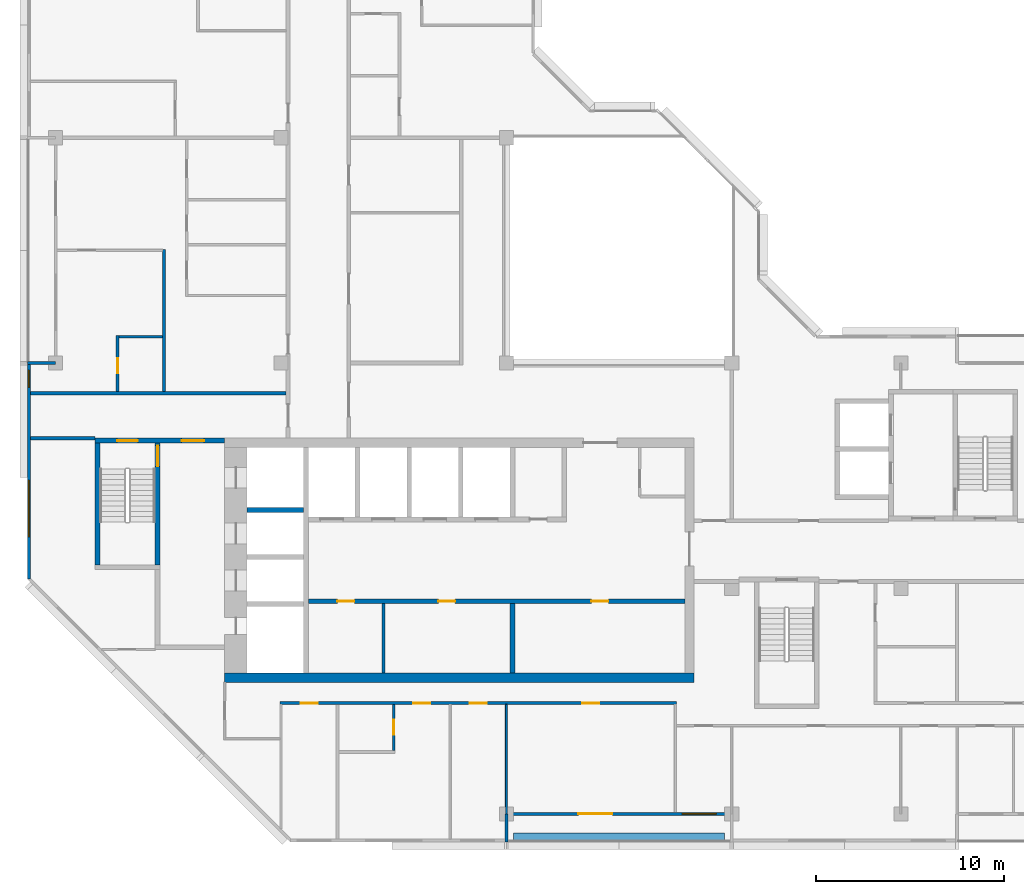
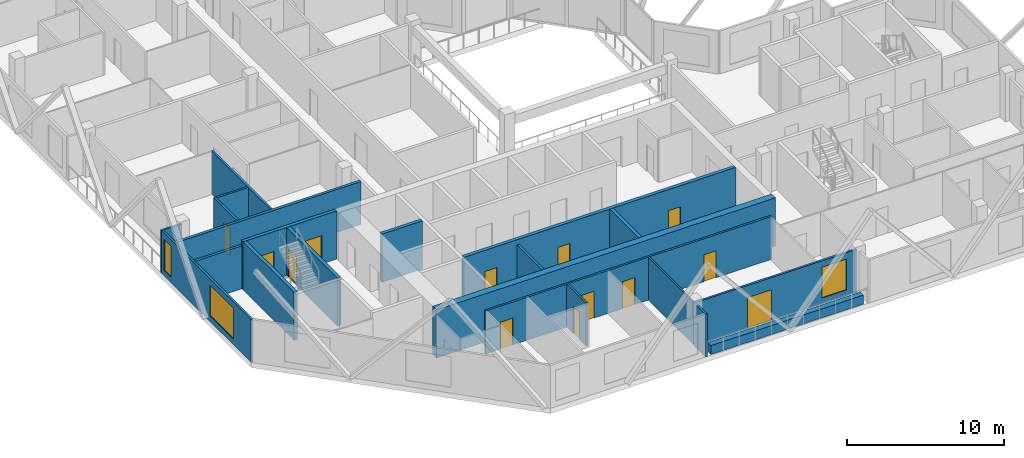
# One storey, part 4 of 12: 21 walls, 13 doors, 3 windows, 16 openings.
"""IFC4 building model written with IfcOpenShell, lengths in metres."""

from ifc_helpers import new_model, si_unit, direction, frame, frame_2d, origin, place, context, subcontext, project, spatial, rectangle, extrude, material, layer, layer_set, type_object, element, fill, save


model = new_model("IFC4")

# Units and contexts
model_context = context("Model", 3, precision=1e-05, world=origin(), true_north=direction((0.0, 1.0)))
body_context = subcontext(model_context, "Body", "Model", "MODEL_VIEW")
ifc_project = project(units=[si_unit("LENGTHUNIT", "METRE"), si_unit("AREAUNIT", "SQUARE_METRE"), si_unit("VOLUMEUNIT", "CUBIC_METRE"), si_unit("PLANEANGLEUNIT", "RADIAN"), si_unit("MASSUNIT", "GRAM", prefix="KILO")], contexts=[model_context])

# Site, building, storey
site_placement = place(None, origin())
site = spatial("IfcSite", under=ifc_project, at=site_placement, CompositionType="ELEMENT")
building_placement = place(site_placement, origin())
building = spatial("IfcBuilding", under=site, at=building_placement, Name="Chenar Terraces", CompositionType="ELEMENT")
storey_placement = place(building_placement, frame((0.0, 0.0, 368.89990234375)))
storey = spatial("IfcBuildingStorey", under=building, at=storey_placement, Name="L86", CompositionType="ELEMENT", Elevation=368.89990234375)

# Wall
ifc_material_1 = material(Name="Gypsum board on steel studs", Category="steel")
ifc_layer_1 = layer(ifc_material_1, 0.14990234375)
ifc_layer_set_1 = layer_set([ifc_layer_1], Name="Gypsum board on steel studs")
wall_type_1 = type_object("IfcWallType", Name="Core partition 150 gypsum board", PredefinedType="PARTITIONING", material=ifc_layer_set_1)
wall_1_placement = place(storey_placement, frame((17.449951171875, 7.5, 0.0), z_axis=(0.0, 0.0, 1.0), x_axis=(0.0, 1.0, 0.0)))
element("IfcWall", 1, at=wall_1_placement, inside=storey, type_object=wall_type_1, Name="Core partition CP1 freed bay wall", PredefinedType="PARTITIONING", context=body_context, shape_type="SweptSolid", body=[
    extrude(rectangle(XDim=3.699951171875, YDim=0.14990234375, at=frame_2d((1.85009765625, 0.0))), origin(), (0.0, 0.0, 1.0), 3.35009765625),
])

# Wall, openings, doors
ifc_material_2 = material(Name="Concrete C50/60", Category="concrete")
ifc_layer_2 = layer(ifc_material_2, 0.25)
ifc_layer_set_2 = layer_set([ifc_layer_2], Name="Concrete C50/60")
wall_type_2 = type_object("IfcWallType", Name="Core wall 250 Concrete C50/60", PredefinedType="SHEAR", material=ifc_layer_set_2)
wall_2_placement = place(storey_placement, frame((13.449951171875, 11.324951171875, 0.0), z_axis=(0.0, 0.0, 1.0), x_axis=(1.0, 0.0, 0.0)))
wall_2 = element("IfcWall", 2, at=wall_2_placement, inside=storey, type_object=wall_type_2, Name="Core wall SF L86", PredefinedType="SHEAR", context=body_context, shape_type="SweptSolid", body=[
    extrude(rectangle(XDim=20.050048828125, YDim=0.25, at=frame_2d((10.02490234375, 0.0))), origin(), (0.0, 0.0, 1.0), 3.75),
])
opening_1_placement = place(wall_2_placement, frame((1.550048828125, 0.0, 0.0)))
opening_1 = element("IfcOpeningElement", 3, at=opening_1_placement, cuts=wall_2, Name="Opening DL86-C12", PredefinedType="OPENING", context=body_context, shape_type="SweptSolid", body=[
    extrude(rectangle(XDim=0.89990234375, YDim=2.10009765625, at=frame_2d((0.449951171875, 1.050048828125))), frame((0.0, 0.135009765625, 0.0), z_axis=(0.0, -1.0, 0.0), x_axis=(1.0, 0.0, 0.0)), (0.0, 0.0, 1.0), 0.27001953125),
])
opening_2_placement = place(wall_2_placement, frame((6.925048828125, 0.0, 0.0)))
opening_2 = element("IfcOpeningElement", 4, at=opening_2_placement, cuts=wall_2, Name="Opening DL86-C13", PredefinedType="OPENING", context=body_context, shape_type="SweptSolid", body=[
    extrude(rectangle(XDim=0.89990234375, YDim=2.10009765625, at=frame_2d((0.449951171875, 1.050048828125))), frame((0.0, 0.135009765625, 0.0), z_axis=(0.0, -1.0, 0.0), x_axis=(1.0, 0.0, 0.0)), (0.0, 0.0, 1.0), 0.27001953125),
])
opening_3_placement = place(wall_2_placement, frame((15.074951171875, 0.0, 0.0)))
opening_3 = element("IfcOpeningElement", 5, at=opening_3_placement, cuts=wall_2, Name="Opening DL86-C14", PredefinedType="OPENING", context=body_context, shape_type="SweptSolid", body=[
    extrude(rectangle(XDim=0.89990234375, YDim=2.10009765625, at=frame_2d((0.449951171875, 1.050048828125))), frame((0.0, 0.135009765625, 0.0), z_axis=(0.0, -1.0, 0.0), x_axis=(1.0, 0.0, 0.0)), (0.0, 0.0, 1.0), 0.27001953125),
])
ifc_material_3 = material(Name="Steel-framed fire-resisting door leaf", Category="steel")
door_type_1 = type_object("IfcDoorType", Name="Riser fire door FD60 900 x 2100", OperationType="SINGLE_SWING_LEFT", PredefinedType="DOOR", material=ifc_material_3)
door_1_placement = place(opening_1_placement, frame((0.89990234375, 0.0, 0.0), z_axis=(0.0, 0.0, 1.0), x_axis=(-1.0, 0.0, 0.0)))
door_1 = element("IfcDoor", 6, at=door_1_placement, inside=storey, type_object=door_type_1, Name="Core room door DL86-C12", OperationType="SINGLE_SWING_LEFT", OverallHeight=2.10009765625, OverallWidth=0.89990234375, PredefinedType="DOOR", context=body_context, shape_type="SweptSolid", body=[
    extrude(rectangle(XDim=0.89990234375, YDim=2.10009765625, at=frame_2d((0.449951171875, 1.050048828125))), frame((0.0, 0.02490234375, 0.0), z_axis=(0.0, -1.0, 0.0), x_axis=(1.0, 0.0, 0.0)), (0.0, 0.0, 1.0), 0.050048828125),
])
fill(opening_1, door_1)
door_2_placement = place(opening_2_placement, frame((0.89990234375, 0.0, 0.0), z_axis=(0.0, 0.0, 1.0), x_axis=(-1.0, 0.0, 0.0)))
door_2 = element("IfcDoor", 7, at=door_2_placement, inside=storey, type_object=door_type_1, Name="Core room door DL86-C13", OperationType="SINGLE_SWING_RIGHT", OverallHeight=2.10009765625, OverallWidth=0.89990234375, PredefinedType="DOOR", context=body_context, shape_type="SweptSolid", body=[
    extrude(rectangle(XDim=0.89990234375, YDim=2.10009765625, at=frame_2d((0.449951171875, 1.050048828125))), frame((0.0, 0.02490234375, 0.0), z_axis=(0.0, -1.0, 0.0), x_axis=(1.0, 0.0, 0.0)), (0.0, 0.0, 1.0), 0.050048828125),
])
fill(opening_2, door_2)
door_3_placement = place(opening_3_placement, frame((0.89990234375, 0.0, 0.0), z_axis=(0.0, 0.0, 1.0), x_axis=(-1.0, 0.0, 0.0)))
door_3 = element("IfcDoor", 8, at=door_3_placement, inside=storey, type_object=door_type_1, Name="Core room door DL86-C14", OperationType="SINGLE_SWING_RIGHT", OverallHeight=2.10009765625, OverallWidth=0.89990234375, PredefinedType="DOOR", context=body_context, shape_type="SweptSolid", body=[
    extrude(rectangle(XDim=0.89990234375, YDim=2.10009765625, at=frame_2d((0.449951171875, 1.050048828125))), frame((0.0, 0.02490234375, 0.0), z_axis=(0.0, -1.0, 0.0), x_axis=(1.0, 0.0, 0.0)), (0.0, 0.0, 1.0), 0.050048828125),
])
fill(opening_3, door_3)

# Walls
wall_3_placement = place(storey_placement, frame((10.199951171875, 16.175048828125, 0.0), z_axis=(0.0, 0.0, 1.0), x_axis=(1.0, 0.0, 0.0)))
element("IfcWall", 9, at=wall_3_placement, inside=storey, type_object=wall_type_2, Name="Core wall HW2 L86", PredefinedType="SHEAR", context=body_context, shape_type="SweptSolid", body=[
    extrude(rectangle(XDim=3.0, YDim=0.25, at=frame_2d((1.5, 0.0))), origin(), (0.0, 0.0, 1.0), 3.75),
])
wall_4_placement = place(storey_placement, frame((24.324951171875, 7.5, 0.0), z_axis=(0.0, 0.0, 1.0), x_axis=(0.0, 1.0, 0.0)))
element("IfcWall", 10, at=wall_4_placement, inside=storey, type_object=wall_type_2, Name="Core wall SS3 L86", PredefinedType="SHEAR", context=body_context, shape_type="SweptSolid", body=[
    extrude(rectangle(XDim=3.699951171875, YDim=0.25, at=frame_2d((1.85009765625, 0.0))), origin(), (0.0, 0.0, 1.0), 3.75),
])

# Wall, openings, doors
wall_5_placement = place(storey_placement, frame((2.10009765625, 19.875, 0.0), z_axis=(0.0, 0.0, 1.0), x_axis=(1.0, 0.0, 0.0)))
wall_5 = element("IfcWall", 11, at=wall_5_placement, inside=storey, type_object=wall_type_2, Name="Core wall A_N L86", PredefinedType="SHEAR", context=body_context, shape_type="SweptSolid", body=[
    extrude(rectangle(XDim=6.89990234375, YDim=0.25, at=frame_2d((3.449951171875, 0.0))), origin(), (0.0, 0.0, 1.0), 3.75),
])
opening_4_placement = place(wall_5_placement, frame((1.175048828125, 0.0, 0.0)))
opening_4 = element("IfcOpeningElement", 12, at=opening_4_placement, cuts=wall_5, Name="Opening DL86-C5", PredefinedType="OPENING", context=body_context, shape_type="SweptSolid", body=[
    extrude(rectangle(XDim=1.10009765625, YDim=2.199951171875, at=frame_2d((0.550048828125, 1.10009765625))), frame((0.0, 0.135009765625, 0.0), z_axis=(0.0, -1.0, 0.0), x_axis=(1.0, 0.0, 0.0)), (0.0, 0.0, 1.0), 0.27001953125),
])
opening_5_placement = place(wall_5_placement, frame((4.60009765625, 0.0, 0.0)))
opening_5 = element("IfcOpeningElement", 13, at=opening_5_placement, cuts=wall_5, Name="Opening DL86-C6", PredefinedType="OPENING", context=body_context, shape_type="SweptSolid", body=[
    extrude(rectangle(XDim=1.199951171875, YDim=2.199951171875, at=frame_2d((0.60009765625, 1.10009765625))), frame((0.0, 0.135009765625, 0.0), z_axis=(0.0, -1.0, 0.0), x_axis=(1.0, 0.0, 0.0)), (0.0, 0.0, 1.0), 0.27001953125),
])
ifc_material_4 = material(Name="Steel-framed fire-resisting door leaf", Category="steel")
door_type_2 = type_object("IfcDoorType", Name="Lobby fire door FD60 1200 x 2200", OperationType="SINGLE_SWING_LEFT", PredefinedType="DOOR", material=ifc_material_4)
door_4_placement = place(opening_5_placement, frame((1.199951171875, 0.0, 0.0), z_axis=(0.0, 0.0, 1.0), x_axis=(-1.0, 0.0, 0.0)))
door_4 = element("IfcDoor", 14, at=door_4_placement, inside=storey, type_object=door_type_2, Name="Core door DL86-C6", OperationType="SINGLE_SWING_LEFT", OverallHeight=2.199951171875, OverallWidth=1.199951171875, PredefinedType="DOOR", context=body_context, shape_type="SweptSolid", body=[
    extrude(rectangle(XDim=1.199951171875, YDim=2.199951171875, at=frame_2d((0.60009765625, 1.10009765625))), frame((0.0, 0.02490234375, 0.0), z_axis=(0.0, -1.0, 0.0), x_axis=(1.0, 0.0, 0.0)), (0.0, 0.0, 1.0), 0.050048828125),
])
fill(opening_5, door_4)
ifc_material_5 = material(Name="Steel-framed fire-resisting door leaf", Category="steel")
door_type_3 = type_object("IfcDoorType", Name="Stair fire door FD60 1100 x 2200", OperationType="SINGLE_SWING_LEFT", PredefinedType="DOOR", material=ifc_material_5)
door_5_placement = place(opening_4_placement, origin())
door_5 = element("IfcDoor", 15, at=door_5_placement, inside=storey, type_object=door_type_3, Name="Stair door DL86-C5", OperationType="SINGLE_SWING_LEFT", OverallHeight=2.199951171875, OverallWidth=1.10009765625, PredefinedType="DOOR", context=body_context, shape_type="SweptSolid", body=[
    extrude(rectangle(XDim=1.10009765625, YDim=2.199951171875, at=frame_2d((0.550048828125, 1.10009765625))), frame((0.0, 0.02490234375, 0.0), z_axis=(0.0, -1.0, 0.0), x_axis=(1.0, 0.0, 0.0)), (0.0, 0.0, 1.0), 0.050048828125),
])
fill(opening_4, door_5)

# Wall
wall_6_placement = place(storey_placement, frame((2.22509765625, 13.25, 0.0), z_axis=(0.0, 0.0, 1.0), x_axis=(0.0, 1.0, 0.0)))
element("IfcWall", 16, at=wall_6_placement, inside=storey, type_object=wall_type_2, Name="Core wall ST1_W L86", PredefinedType="SHEAR", context=body_context, shape_type="SweptSolid", body=[
    extrude(rectangle(XDim=6.5, YDim=0.25, at=frame_2d((3.25, 0.0))), origin(), (0.0, 0.0, 1.0), 3.75),
])

# Wall, opening, door
wall_7_placement = place(storey_placement, frame((5.425048828125, 13.25, 0.0), z_axis=(0.0, 0.0, 1.0), x_axis=(0.0, 1.0, 0.0)))
wall_7 = element("IfcWall", 17, at=wall_7_placement, inside=storey, type_object=wall_type_2, Name="Core wall ST1_E L86", PredefinedType="SHEAR", context=body_context, shape_type="SweptSolid", body=[
    extrude(rectangle(XDim=6.5, YDim=0.25, at=frame_2d((3.25, 0.0))), origin(), (0.0, 0.0, 1.0), 3.75),
])
opening_6_placement = place(wall_7_placement, frame((5.25, 0.0, 0.0)))
opening_6 = element("IfcOpeningElement", 18, at=opening_6_placement, cuts=wall_7, Name="Opening DL86-C3", PredefinedType="OPENING", context=body_context, shape_type="SweptSolid", body=[
    extrude(rectangle(XDim=1.10009765625, YDim=2.199951171875, at=frame_2d((0.550048828125, 1.10009765625))), frame((0.0, 0.135009765625, 0.0), z_axis=(0.0, -1.0, 0.0), x_axis=(1.0, 0.0, 0.0)), (0.0, 0.0, 1.0), 0.27001953125),
])
door_6_placement = place(opening_6_placement, origin())
door_6 = element("IfcDoor", 19, at=door_6_placement, inside=storey, type_object=door_type_3, Name="Stair door DL86-C3", OperationType="SINGLE_SWING_RIGHT", OverallHeight=2.199951171875, OverallWidth=1.10009765625, PredefinedType="DOOR", context=body_context, shape_type="SweptSolid", body=[
    extrude(rectangle(XDim=1.10009765625, YDim=2.199951171875, at=frame_2d((0.550048828125, 1.10009765625))), frame((0.0, 0.02490234375, 0.0), z_axis=(0.0, -1.0, 0.0), x_axis=(1.0, 0.0, 0.0)), (0.0, 0.0, 1.0), 0.050048828125),
])
fill(opening_6, door_6)

# Walls
ifc_material_6 = material(Name="Concrete C50/60", Category="concrete")
ifc_layer_3 = layer(ifc_material_6, 0.5)
ifc_layer_set_3 = layer_set([ifc_layer_3], Name="Concrete C50/60")
wall_type_3 = type_object("IfcWallType", Name="Core wall 500 Concrete C50/60", PredefinedType="SHEAR", material=ifc_layer_set_3)
wall_8_placement = place(storey_placement, frame((9.0, 7.25, 0.0), z_axis=(0.0, 0.0, 1.0), x_axis=(1.0, 0.0, 0.0)))
element("IfcWall", 20, at=wall_8_placement, inside=storey, type_object=wall_type_3, Name="Core wall S L86", PredefinedType="SHEAR", context=body_context, shape_type="SweptSolid", body=[
    extrude(rectangle(XDim=25.0, YDim=0.5, at=frame_2d((12.5, 0.0))), origin(), (0.0, 0.0, 1.0), 3.75),
])
ifc_material_7 = material(Name="Gypsum board on steel studs with fire boards", Category="steel")
ifc_layer_4 = layer(ifc_material_7, 0.199951171875)
ifc_layer_set_4 = layer_set([ifc_layer_4], Name="Gypsum board on steel studs with fire boards")
wall_type_4 = type_object("IfcWallType", Name="Corridor wall 200", PredefinedType="PARTITIONING", material=ifc_layer_set_4)
wall_9_placement = place(storey_placement, frame((-1.35009765625, 20.0, 0.0), z_axis=(0.0, 0.0, 1.0), x_axis=(1.0, 0.0, 0.0)))
element("IfcWall", 21, at=wall_9_placement, inside=storey, type_object=wall_type_4, Name="Partition L86-001", PredefinedType="PARTITIONING", context=body_context, shape_type="SweptSolid", body=[
    extrude(rectangle(XDim=3.4501953125, YDim=0.199951171875, at=frame_2d((1.72509765625, 0.0))), origin(), (0.0, 0.0, 1.0), 3.35009765625),
])
wall_10_placement = place(storey_placement, frame((-1.35009765625, 22.39990234375, 0.0), z_axis=(0.0, 0.0, 1.0), x_axis=(1.0, 0.0, 0.0)))
element("IfcWall", 22, at=wall_10_placement, inside=storey, type_object=wall_type_4, Name="Partition L86-002", PredefinedType="PARTITIONING", context=body_context, shape_type="SweptSolid", body=[
    extrude(rectangle(XDim=13.625, YDim=0.199951171875, at=frame_2d((6.8125, 0.0))), origin(), (0.0, 0.0, 1.0), 3.35009765625),
])

# Wall, openings, windows
ifc_material_8 = material(Name="Aluminium framed glazing", Category="aluminium")
ifc_layer_5 = layer(ifc_material_8, 0.14990234375)
ifc_layer_set_5 = layer_set([ifc_layer_5], Name="Aluminium framed glazing")
wall_type_5 = type_object("IfcWallType", Name="Glazed flush facade wall 150", PredefinedType="SOLIDWALL", material=ifc_layer_set_5)
wall_11_placement = place(storey_placement, frame((-1.425048828125, 23.925048828125, 0.0), z_axis=(0.0, 0.0, 1.0), x_axis=(0.0, -1.0, 0.0)))
wall_11 = element("IfcWall", 23, at=wall_11_placement, inside=storey, type_object=wall_type_5, Name="Glazed flush facade wall", PredefinedType="SOLIDWALL", context=body_context, shape_type="SweptSolid", body=[
    extrude(rectangle(XDim=11.425048828125, YDim=0.14990234375, at=frame_2d((5.71240234375, 0.0))), origin(), (0.0, 0.0, 1.0), 3.35009765625),
])
opening_7_placement = place(wall_11_placement, frame((0.3125, 0.0, 0.449951171875)))
opening_7 = element("IfcOpeningElement", 24, at=opening_7_placement, cuts=wall_11, Name="Opening W90x240", PredefinedType="OPENING", context=body_context, shape_type="SweptSolid", body=[
    extrude(rectangle(XDim=0.89990234375, YDim=2.39990234375, at=frame_2d((0.449951171875, 1.199951171875))), frame((0.0, 0.0849609375, 0.0), z_axis=(0.0, -1.0, 0.0), x_axis=(1.0, 0.0, 0.0)), (0.0, 0.0, 1.0), 0.169921875),
])
opening_8_placement = place(wall_11_placement, frame((6.175048828125, 0.0, 0.449951171875)))
opening_8 = element("IfcOpeningElement", 25, at=opening_8_placement, cuts=wall_11, Name="Opening W300x240", PredefinedType="OPENING", context=body_context, shape_type="SweptSolid", body=[
    extrude(rectangle(XDim=3.0, YDim=2.39990234375, at=frame_2d((1.5, 1.199951171875))), frame((0.0, 0.0849609375, 0.0), z_axis=(0.0, -1.0, 0.0), x_axis=(1.0, 0.0, 0.0)), (0.0, 0.0, 1.0), 0.169921875),
])
ifc_material_9 = material(Name="Low emissivity double glazing, aluminium frame", Category="aluminium")
window_type_1 = type_object("IfcWindowType", Name="Fixed light 3000 x 2400", PartitioningType="SINGLE_PANEL", PredefinedType="WINDOW", material=ifc_material_9)
window_1_placement = place(opening_8_placement, origin())
window_1 = element("IfcWindow", 26, at=window_1_placement, inside=storey, type_object=window_type_1, Name="Window", OverallHeight=2.39990234375, OverallWidth=3.0, PartitioningType="SINGLE_PANEL", PredefinedType="WINDOW", context=body_context, shape_type="SweptSolid", body=[
    extrude(rectangle(XDim=3.0, YDim=2.39990234375, at=frame_2d((1.5, 1.199951171875))), frame((0.0, 0.030029296875, 0.0), z_axis=(0.0, -1.0, 0.0), x_axis=(1.0, 0.0, 0.0)), (0.0, 0.0, 1.0), 0.06005859375),
])
fill(opening_8, window_1)
ifc_material_10 = material(Name="Low emissivity double glazing, aluminium frame", Category="aluminium")
window_type_2 = type_object("IfcWindowType", Name="Fixed light 900 x 2400", PartitioningType="SINGLE_PANEL", PredefinedType="WINDOW", material=ifc_material_10)
window_2_placement = place(opening_7_placement, origin())
window_2 = element("IfcWindow", 27, at=window_2_placement, inside=storey, type_object=window_type_2, Name="Window", OverallHeight=2.39990234375, OverallWidth=0.89990234375, PartitioningType="SINGLE_PANEL", PredefinedType="WINDOW", context=body_context, shape_type="SweptSolid", body=[
    extrude(rectangle(XDim=0.89990234375, YDim=2.39990234375, at=frame_2d((0.449951171875, 1.199951171875))), frame((0.0, 0.030029296875, 0.0), z_axis=(0.0, -1.0, 0.0), x_axis=(1.0, 0.0, 0.0)), (0.0, 0.0, 1.0), 0.06005859375),
])
fill(opening_7, window_2)

# Wall, openings, window, door
ifc_material_11 = material(Name="Aluminium framed glazing", Category="aluminium")
ifc_layer_6 = layer(ifc_material_11, 0.14990234375)
ifc_layer_set_6 = layer_set([ifc_layer_6], Name="Aluminium framed glazing")
wall_type_6 = type_object("IfcWallType", Name="Glazed loggia back wall 150", PredefinedType="SOLIDWALL", material=ifc_layer_set_6)
wall_12_placement = place(storey_placement, frame((24.074951171875, 0.0, 0.0), z_axis=(0.0, 0.0, 1.0), x_axis=(1.0, 0.0, 0.0)))
wall_12 = element("IfcWall", 28, at=wall_12_placement, inside=storey, type_object=wall_type_6, Name="Glazed loggia back wall", PredefinedType="SOLIDWALL", context=body_context, shape_type="SweptSolid", body=[
    extrude(rectangle(XDim=11.85009765625, YDim=0.14990234375, at=frame_2d((5.925048828125, 0.0))), origin(), (0.0, 0.0, 1.0), 3.35009765625),
])
opening_9_placement = place(wall_12_placement, frame((3.762451171875, 0.0, 0.0)))
opening_9 = element("IfcOpeningElement", 29, at=opening_9_placement, cuts=wall_12, Name="Opening DL86-G3", PredefinedType="OPENING", context=body_context, shape_type="SweptSolid", body=[
    extrude(rectangle(XDim=1.800048828125, YDim=2.39990234375, at=frame_2d((0.89990234375, 1.199951171875))), frame((0.0, 0.0849609375, 0.0), z_axis=(0.0, -1.0, 0.0), x_axis=(1.0, 0.0, 0.0)), (0.0, 0.0, 1.0), 0.169921875),
])
opening_10_placement = place(wall_12_placement, frame((9.28759765625, 0.0, 0.449951171875)))
opening_10 = element("IfcOpeningElement", 30, at=opening_10_placement, cuts=wall_12, Name="Opening W180x240", PredefinedType="OPENING", context=body_context, shape_type="SweptSolid", body=[
    extrude(rectangle(XDim=1.800048828125, YDim=2.39990234375, at=frame_2d((0.89990234375, 1.199951171875))), frame((0.0, 0.0849609375, 0.0), z_axis=(0.0, -1.0, 0.0), x_axis=(1.0, 0.0, 0.0)), (0.0, 0.0, 1.0), 0.169921875),
])
ifc_material_12 = material(Name="Low emissivity double glazing, aluminium frame", Category="aluminium")
window_type_3 = type_object("IfcWindowType", Name="Fixed light 1800 x 2400", PartitioningType="SINGLE_PANEL", PredefinedType="WINDOW", material=ifc_material_12)
window_3_placement = place(opening_10_placement, origin())
window_3 = element("IfcWindow", 31, at=window_3_placement, inside=storey, type_object=window_type_3, Name="Window", OverallHeight=2.39990234375, OverallWidth=1.800048828125, PartitioningType="SINGLE_PANEL", PredefinedType="WINDOW", context=body_context, shape_type="SweptSolid", body=[
    extrude(rectangle(XDim=1.800048828125, YDim=2.39990234375, at=frame_2d((0.89990234375, 1.199951171875))), frame((0.0, 0.030029296875, 0.0), z_axis=(0.0, -1.0, 0.0), x_axis=(1.0, 0.0, 0.0)), (0.0, 0.0, 1.0), 0.06005859375),
])
fill(opening_10, window_3)
ifc_material_13 = material(Name="Low emissivity double glazing, aluminium frame", Category="aluminium")
door_type_4 = type_object("IfcDoorType", Name="Loggia glazed double door 1800 x 2400", OperationType="DOUBLE_DOOR_SINGLE_SWING", PredefinedType="DOOR", material=ifc_material_13)
door_7_placement = place(opening_9_placement, frame((1.800048828125, 0.0, 0.0), z_axis=(0.0, 0.0, 1.0), x_axis=(-1.0, 0.0, 0.0)))
door_7 = element("IfcDoor", 32, at=door_7_placement, inside=storey, type_object=door_type_4, Name="Loggia glazed door", OperationType="DOUBLE_DOOR_SINGLE_SWING", OverallHeight=2.39990234375, OverallWidth=1.800048828125, PredefinedType="DOOR", context=body_context, shape_type="SweptSolid", body=[
    extrude(rectangle(XDim=1.800048828125, YDim=2.39990234375, at=frame_2d((0.89990234375, 1.199951171875))), frame((0.0, 0.02490234375, 0.0), z_axis=(0.0, -1.0, 0.0), x_axis=(1.0, 0.0, 0.0)), (0.0, 0.0, 1.0), 0.050048828125),
])
fill(opening_9, door_7)

# Walls
ifc_material_14 = material(Name="Gypsum board on steel studs", Category="steel")
ifc_layer_7 = layer(ifc_material_14, 0.10009765625)
ifc_layer_set_7 = layer_set([ifc_layer_7], Name="Gypsum board on steel studs")
wall_type_7 = type_object("IfcWallType", Name="Gypsum partition 100", PredefinedType="PARTITIONING", material=ifc_layer_set_7)
wall_13_placement = place(storey_placement, frame((24.0, 0.0, 0.0), z_axis=(0.0, 0.0, 1.0), x_axis=(0.0, 1.0, 0.0)))
element("IfcWall", 33, at=wall_13_placement, inside=storey, type_object=wall_type_7, Name="Partition L86-045", PredefinedType="PARTITIONING", context=body_context, shape_type="SweptSolid", body=[
    extrude(rectangle(XDim=5.824951171875, YDim=0.10009765625, at=frame_2d((2.91259765625, 0.0))), origin(), (0.0, 0.0, 1.0), 3.35009765625),
])
ifc_material_15 = material(Name="Terracotta cladding on insulated backing", Category="masonry")
ifc_layer_8 = layer(ifc_material_15, 0.14990234375)
ifc_layer_set_8 = layer_set([ifc_layer_8], Name="Terracotta cladding on insulated backing")
wall_type_8 = type_object("IfcWallType", Name="Loggia return wall 150", PredefinedType="SOLIDWALL", material=ifc_layer_set_8)
for number, where, z_axis, x_axis, name in (
    (34, (-1.5, 24.0, 0.0), (0.0, 0.0, 1.0), (1.0, 0.0, 0.0), "Loggia return wall"),
    (35, (24.0, -1.5, 0.0), (0.0, 0.0, 1.0), (0.0, 1.0, 0.0), "Loggia return wall"),
):
    element("IfcWall", number, at=place(storey_placement, frame(where, z_axis=z_axis, x_axis=x_axis)), inside=storey, type_object=wall_type_8, Name=name, PredefinedType="SOLIDWALL", context=body_context, shape_type="SweptSolid", body=[
        extrude(rectangle(XDim=1.5, YDim=0.14990234375, at=frame_2d((0.75, 0.0))), origin(), (0.0, 0.0, 1.0), 3.35009765625),
    ])
ifc_material_16 = material(Name="GRP planter trough")
ifc_layer_9 = layer(ifc_material_16, 0.39990234375)
ifc_layer_set_9 = layer_set([ifc_layer_9], Name="GRP planter trough")
wall_type_9 = type_object("IfcWallType", Name="Vertical greenery planter 400", PredefinedType="SOLIDWALL", material=ifc_layer_set_9)
wall_14_placement = place(storey_placement, frame((24.375, -1.22900390625, 0.0), z_axis=(0.0, 0.0, 1.0), x_axis=(1.0, 0.0, 0.0)))
element("IfcWall", 36, at=wall_14_placement, inside=storey, type_object=wall_type_9, Name="Vertical greenery planter", PredefinedType="SOLIDWALL", context=body_context, shape_type="SweptSolid", body=[
    extrude(rectangle(XDim=11.25, YDim=0.39990234375, at=frame_2d((5.625, 0.0))), origin(), (0.0, 0.0, 1.0), 0.7001953125),
])

# Wall, opening, door
ifc_material_17 = material(Name="Moisture-resistant gypsum board on steel studs", Category="steel")
ifc_layer_10 = layer(ifc_material_17, 0.14990234375)
ifc_layer_set_10 = layer_set([ifc_layer_10], Name="Moisture-resistant gypsum board on steel studs")
wall_type_10 = type_object("IfcWallType", Name="Wet-room partition 150", PredefinedType="PARTITIONING", material=ifc_layer_set_10)
wall_15_placement = place(storey_placement, frame((3.300048828125, 22.5, 0.0), z_axis=(0.0, 0.0, 1.0), x_axis=(0.0, 1.0, 0.0)))
wall_15 = element("IfcWall", 37, at=wall_15_placement, inside=storey, type_object=wall_type_10, Name="Partition L86-009", PredefinedType="PARTITIONING", context=body_context, shape_type="SweptSolid", body=[
    extrude(rectangle(XDim=2.97509765625, YDim=0.14990234375, at=frame_2d((1.487548828125, 0.0))), origin(), (0.0, 0.0, 1.0), 3.35009765625),
])
opening_11_placement = place(wall_15_placement, frame((0.949951171875, 0.0, 0.0)))
opening_11 = element("IfcOpeningElement", 38, at=opening_11_placement, cuts=wall_15, Name="Opening DL86-39", PredefinedType="OPENING", context=body_context, shape_type="SweptSolid", body=[
    extrude(rectangle(XDim=0.800048828125, YDim=2.10009765625, at=frame_2d((0.39990234375, 1.050048828125))), frame((0.0, 0.0849609375, 0.0), z_axis=(0.0, -1.0, 0.0), x_axis=(1.0, 0.0, 0.0)), (0.0, 0.0, 1.0), 0.169921875),
])
ifc_material_18 = material(Name="Veneered timber door leaf", Category="wood")
door_type_5 = type_object("IfcDoorType", Name="Door 800 x 2100", OperationType="SINGLE_SWING_LEFT", PredefinedType="DOOR", material=ifc_material_18)
door_8_placement = place(opening_11_placement, frame((0.800048828125, 0.0, 0.0), z_axis=(0.0, 0.0, 1.0), x_axis=(-1.0, 0.0, 0.0)))
door_8 = element("IfcDoor", 39, at=door_8_placement, inside=storey, type_object=door_type_5, Name="Door DL86-39", OperationType="SINGLE_SWING_RIGHT", OverallHeight=2.10009765625, OverallWidth=0.800048828125, PredefinedType="DOOR", context=body_context, shape_type="SweptSolid", body=[
    extrude(rectangle(XDim=0.800048828125, YDim=2.10009765625, at=frame_2d((0.39990234375, 1.050048828125))), frame((0.0, 0.02490234375, 0.0), z_axis=(0.0, -1.0, 0.0), x_axis=(1.0, 0.0, 0.0)), (0.0, 0.0, 1.0), 0.050048828125),
])
fill(opening_11, door_8)

# Walls
wall_16_placement = place(storey_placement, frame((3.375, 25.39990234375, 0.0), z_axis=(0.0, 0.0, 1.0), x_axis=(1.0, 0.0, 0.0)))
element("IfcWall", 40, at=wall_16_placement, inside=storey, type_object=wall_type_10, Name="Partition L86-010", PredefinedType="PARTITIONING", context=body_context, shape_type="SweptSolid", body=[
    extrude(rectangle(XDim=2.324951171875, YDim=0.14990234375, at=frame_2d((1.16259765625, 0.0))), origin(), (0.0, 0.0, 1.0), 3.35009765625),
])
wall_17_placement = place(storey_placement, frame((5.77490234375, 22.5, 0.0), z_axis=(0.0, 0.0, 1.0), x_axis=(0.0, 1.0, 0.0)))
element("IfcWall", 41, at=wall_17_placement, inside=storey, type_object=wall_type_10, Name="Partition L86-013", PredefinedType="PARTITIONING", context=body_context, shape_type="SweptSolid", body=[
    extrude(rectangle(XDim=7.550048828125, YDim=0.14990234375, at=frame_2d((3.77490234375, 0.0))), origin(), (0.0, 0.0, 1.0), 3.35009765625),
])

# Wall, openings, doors
wall_18_placement = place(storey_placement, frame((11.949951171875, 5.89990234375, 0.0), z_axis=(0.0, 0.0, 1.0), x_axis=(1.0, 0.0, 0.0)))
wall_18 = element("IfcWall", 42, at=wall_18_placement, inside=storey, type_object=wall_type_10, Name="Partition L86-026", PredefinedType="PARTITIONING", context=body_context, shape_type="SweptSolid", body=[
    extrude(rectangle(XDim=21.10009765625, YDim=0.14990234375, at=frame_2d((10.550048828125, 0.0))), origin(), (0.0, 0.0, 1.0), 3.35009765625),
])
opening_12_placement = place(wall_18_placement, frame((1.10009765625, 0.0, 0.0)))
opening_12 = element("IfcOpeningElement", 43, at=opening_12_placement, cuts=wall_18, Name="Opening DL86-22", PredefinedType="OPENING", context=body_context, shape_type="SweptSolid", body=[
    extrude(rectangle(XDim=0.89990234375, YDim=2.10009765625, at=frame_2d((0.449951171875, 1.050048828125))), frame((0.0, 0.0849609375, 0.0), z_axis=(0.0, -1.0, 0.0), x_axis=(1.0, 0.0, 0.0)), (0.0, 0.0, 1.0), 0.169921875),
])
opening_13_placement = place(wall_18_placement, frame((10.10009765625, 0.0, 0.0)))
opening_13 = element("IfcOpeningElement", 44, at=opening_13_placement, cuts=wall_18, Name="Opening DL86-23", PredefinedType="OPENING", context=body_context, shape_type="SweptSolid", body=[
    extrude(rectangle(XDim=0.89990234375, YDim=2.10009765625, at=frame_2d((0.449951171875, 1.050048828125))), frame((0.0, 0.0849609375, 0.0), z_axis=(0.0, -1.0, 0.0), x_axis=(1.0, 0.0, 0.0)), (0.0, 0.0, 1.0), 0.169921875),
])
opening_14_placement = place(wall_18_placement, frame((7.10009765625, 0.0, 0.0)))
opening_14 = element("IfcOpeningElement", 45, at=opening_14_placement, cuts=wall_18, Name="Opening DL86-30", PredefinedType="OPENING", context=body_context, shape_type="SweptSolid", body=[
    extrude(rectangle(XDim=0.89990234375, YDim=2.10009765625, at=frame_2d((0.449951171875, 1.050048828125))), frame((0.0, 0.0849609375, 0.0), z_axis=(0.0, -1.0, 0.0), x_axis=(1.0, 0.0, 0.0)), (0.0, 0.0, 1.0), 0.169921875),
])
opening_15_placement = place(wall_18_placement, frame((16.10009765625, 0.0, 0.0)))
opening_15 = element("IfcOpeningElement", 46, at=opening_15_placement, cuts=wall_18, Name="Opening DL86-35", PredefinedType="OPENING", context=body_context, shape_type="SweptSolid", body=[
    extrude(rectangle(XDim=0.89990234375, YDim=2.10009765625, at=frame_2d((0.449951171875, 1.050048828125))), frame((0.0, 0.0849609375, 0.0), z_axis=(0.0, -1.0, 0.0), x_axis=(1.0, 0.0, 0.0)), (0.0, 0.0, 1.0), 0.169921875),
])
ifc_material_19 = material(Name="Veneered timber door leaf", Category="wood")
door_type_6 = type_object("IfcDoorType", Name="Door 900 x 2100", OperationType="SINGLE_SWING_LEFT", PredefinedType="DOOR", material=ifc_material_19)
door_9_placement = place(opening_12_placement, frame((0.89990234375, 0.0, 0.0), z_axis=(0.0, 0.0, 1.0), x_axis=(-1.0, 0.0, 0.0)))
door_9 = element("IfcDoor", 47, at=door_9_placement, inside=storey, type_object=door_type_6, Name="Door DL86-22", OperationType="SINGLE_SWING_RIGHT", OverallHeight=2.10009765625, OverallWidth=0.89990234375, PredefinedType="DOOR", context=body_context, shape_type="SweptSolid", body=[
    extrude(rectangle(XDim=0.89990234375, YDim=2.10009765625, at=frame_2d((0.449951171875, 1.050048828125))), frame((0.0, 0.02490234375, 0.0), z_axis=(0.0, -1.0, 0.0), x_axis=(1.0, 0.0, 0.0)), (0.0, 0.0, 1.0), 0.050048828125),
])
fill(opening_12, door_9)
door_10_placement = place(opening_13_placement, frame((0.89990234375, 0.0, 0.0), z_axis=(0.0, 0.0, 1.0), x_axis=(-1.0, 0.0, 0.0)))
door_10 = element("IfcDoor", 48, at=door_10_placement, inside=storey, type_object=door_type_6, Name="Door DL86-23", OperationType="SINGLE_SWING_RIGHT", OverallHeight=2.10009765625, OverallWidth=0.89990234375, PredefinedType="DOOR", context=body_context, shape_type="SweptSolid", body=[
    extrude(rectangle(XDim=0.89990234375, YDim=2.10009765625, at=frame_2d((0.449951171875, 1.050048828125))), frame((0.0, 0.02490234375, 0.0), z_axis=(0.0, -1.0, 0.0), x_axis=(1.0, 0.0, 0.0)), (0.0, 0.0, 1.0), 0.050048828125),
])
fill(opening_13, door_10)
door_11_placement = place(opening_14_placement, frame((0.89990234375, 0.0, 0.0), z_axis=(0.0, 0.0, 1.0), x_axis=(-1.0, 0.0, 0.0)))
door_11 = element("IfcDoor", 49, at=door_11_placement, inside=storey, type_object=door_type_6, Name="Door DL86-30", OperationType="SINGLE_SWING_RIGHT", OverallHeight=2.10009765625, OverallWidth=0.89990234375, PredefinedType="DOOR", context=body_context, shape_type="SweptSolid", body=[
    extrude(rectangle(XDim=0.89990234375, YDim=2.10009765625, at=frame_2d((0.449951171875, 1.050048828125))), frame((0.0, 0.02490234375, 0.0), z_axis=(0.0, -1.0, 0.0), x_axis=(1.0, 0.0, 0.0)), (0.0, 0.0, 1.0), 0.050048828125),
])
fill(opening_14, door_11)
door_12_placement = place(opening_15_placement, frame((0.89990234375, 0.0, 0.0), z_axis=(0.0, 0.0, 1.0), x_axis=(-1.0, 0.0, 0.0)))
door_12 = element("IfcDoor", 50, at=door_12_placement, inside=storey, type_object=door_type_6, Name="Door DL86-35", OperationType="SINGLE_SWING_RIGHT", OverallHeight=2.10009765625, OverallWidth=0.89990234375, PredefinedType="DOOR", context=body_context, shape_type="SweptSolid", body=[
    extrude(rectangle(XDim=0.89990234375, YDim=2.10009765625, at=frame_2d((0.449951171875, 1.050048828125))), frame((0.0, 0.02490234375, 0.0), z_axis=(0.0, -1.0, 0.0), x_axis=(1.0, 0.0, 0.0)), (0.0, 0.0, 1.0), 0.050048828125),
])
fill(opening_15, door_12)

# Wall, opening, door
wall_19_placement = place(storey_placement, frame((18.0, 3.375, 0.0), z_axis=(0.0, 0.0, 1.0), x_axis=(0.0, 1.0, 0.0)))
wall_19 = element("IfcWall", 51, at=wall_19_placement, inside=storey, type_object=wall_type_10, Name="Partition L86-039", PredefinedType="PARTITIONING", context=body_context, shape_type="SweptSolid", body=[
    extrude(rectangle(XDim=2.449951171875, YDim=0.14990234375, at=frame_2d((1.22509765625, 0.0))), origin(), (0.0, 0.0, 1.0), 3.35009765625),
])
opening_16_placement = place(wall_19_placement, frame((0.824951171875, 0.0, 0.0)))
opening_16 = element("IfcOpeningElement", 52, at=opening_16_placement, cuts=wall_19, Name="Opening DL86-31", PredefinedType="OPENING", context=body_context, shape_type="SweptSolid", body=[
    extrude(rectangle(XDim=0.800048828125, YDim=2.10009765625, at=frame_2d((0.39990234375, 1.050048828125))), frame((0.0, 0.0849609375, 0.0), z_axis=(0.0, -1.0, 0.0), x_axis=(1.0, 0.0, 0.0)), (0.0, 0.0, 1.0), 0.169921875),
])
door_13_placement = place(opening_16_placement, origin())
door_13 = element("IfcDoor", 53, at=door_13_placement, inside=storey, type_object=door_type_5, Name="Door DL86-31", OperationType="SINGLE_SWING_RIGHT", OverallHeight=2.10009765625, OverallWidth=0.800048828125, PredefinedType="DOOR", context=body_context, shape_type="SweptSolid", body=[
    extrude(rectangle(XDim=0.800048828125, YDim=2.10009765625, at=frame_2d((0.39990234375, 1.050048828125))), frame((0.0, 0.02490234375, 0.0), z_axis=(0.0, -1.0, 0.0), x_axis=(1.0, 0.0, 0.0)), (0.0, 0.0, 1.0), 0.050048828125),
])
fill(opening_16, door_13)

save(model, "model.ifc")
